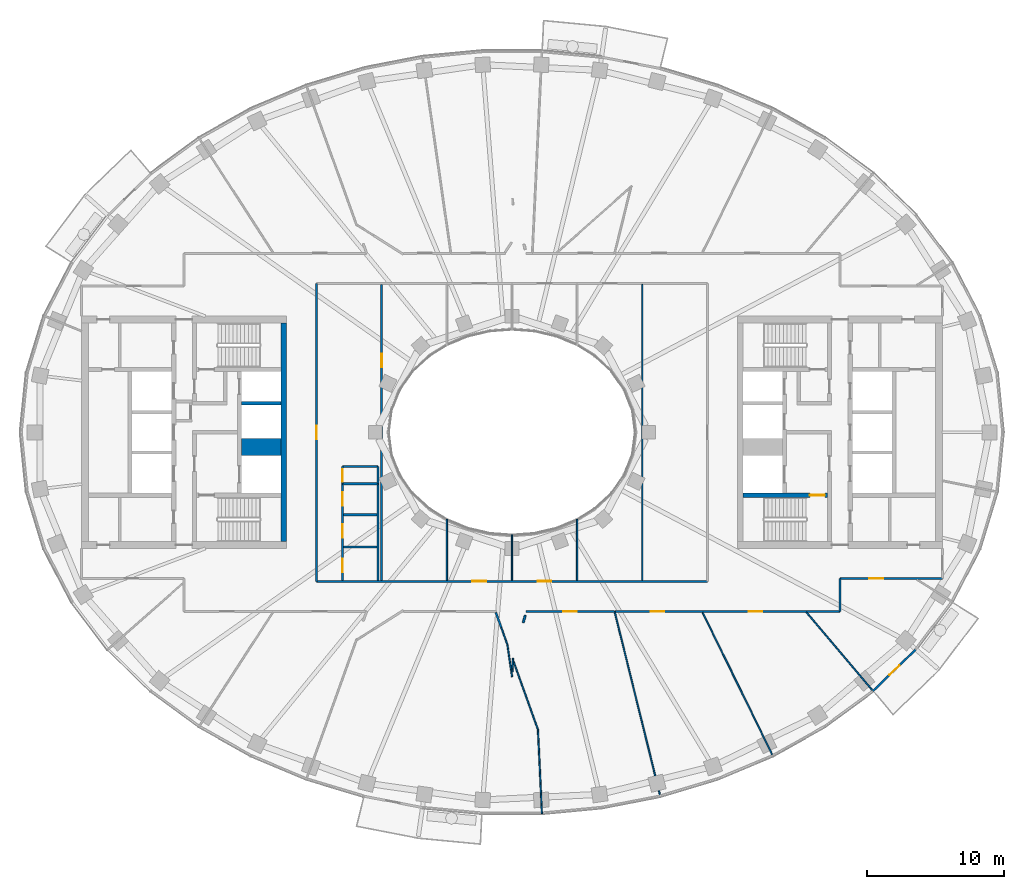
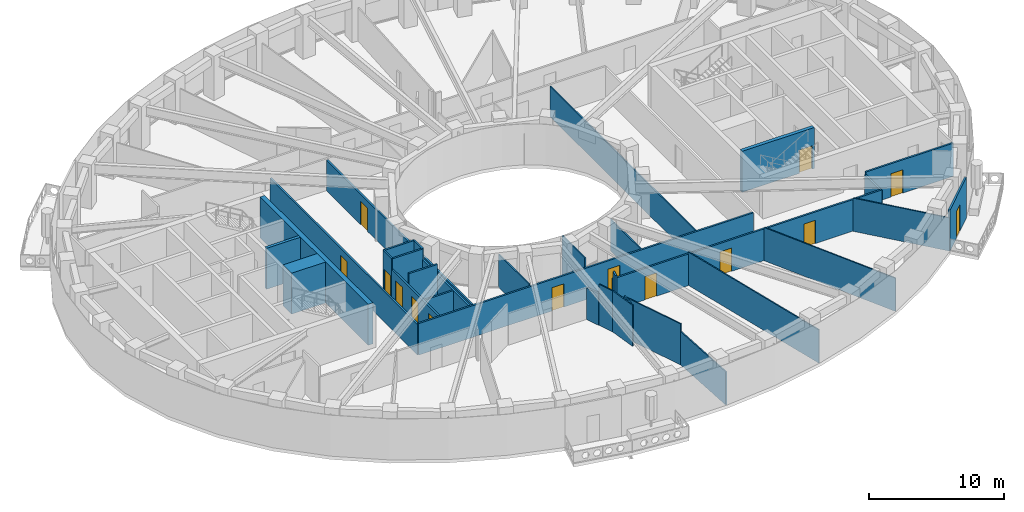
# One storey, part 4 of 16: 34 walls, 14 doors, 14 openings.
"""IFC4 building model written with IfcOpenShell, lengths in metres."""

from ifc_helpers import new_model, si_unit, direction, frame, frame_2d, origin, place, context, subcontext, project, spatial, rectangle, extrude, material, layer, layer_set, type_object, element, fill, save


model = new_model("IFC4")

# Units and contexts
model_context = context("Model", 3, precision=1e-05, world=origin(), true_north=direction((0.0, 1.0)))
body_context = subcontext(model_context, "Body", "Model", "MODEL_VIEW")
ifc_project = project(units=[si_unit("LENGTHUNIT", "METRE"), si_unit("AREAUNIT", "SQUARE_METRE"), si_unit("VOLUMEUNIT", "CUBIC_METRE"), si_unit("PLANEANGLEUNIT", "RADIAN"), si_unit("MASSUNIT", "GRAM", prefix="KILO")], contexts=[model_context])

# Site, building, storey
site_placement = place(None, origin())
site = spatial("IfcSite", under=ifc_project, at=site_placement, CompositionType="ELEMENT")
building_placement = place(site_placement, origin())
building = spatial("IfcBuilding", under=site, at=building_placement, Name="Noorbagh Ring Tower", CompositionType="ELEMENT")
storey_placement = place(building_placement, frame((0.0, 0.0, 237.5)))
storey = spatial("IfcBuildingStorey", under=building, at=storey_placement, Name="L49", CompositionType="ELEMENT", Elevation=237.5)

# Wall, opening, door
ifc_material_1 = material(Name="Gypsum board on steel studs", Category="steel")
ifc_layer_1 = layer(ifc_material_1, 0.14990234375)
ifc_layer_set_1 = layer_set([ifc_layer_1], Name="Gypsum board on steel studs")
wall_type_1 = type_object("IfcWallType", Name="COMPARTMENT PARTITION 150 EI 60", PredefinedType="PARTITIONING", material=ifc_layer_set_1)
wall_1_placement = place(storey_placement, frame((-12.39990234375, -3.760009765625, 0.0), z_axis=(0.0, 0.0, 1.0), x_axis=(0.0, 1.0, 0.0)))
wall_1 = element("IfcWall", 1, at=wall_1_placement, inside=storey, type_object=wall_type_1, Name="L49/wall/P21", PredefinedType="PARTITIONING", context=body_context, shape_type="SweptSolid", body=[
    extrude(rectangle(XDim=1.260009765625, YDim=0.14990234375, at=frame_2d((0.6298828125, 0.0))), origin(), (0.0, 0.0, 1.0), 3.699951171875),
])
opening_1_placement = place(wall_1_placement, frame((0.14990234375, 0.0, 0.0)))
opening_1 = element("IfcOpeningElement", 2, at=opening_1_placement, cuts=wall_1, Name="Opening D4", PredefinedType="OPENING", context=body_context, shape_type="SweptSolid", body=[
    extrude(rectangle(XDim=0.89990234375, YDim=2.10009765625, at=frame_2d((0.449951171875, 1.050048828125))), frame((0.0, 0.0849609375, 0.0), z_axis=(0.0, -1.0, 0.0), x_axis=(1.0, 0.0, 0.0)), (0.0, 0.0, 1.0), 0.169921875),
])
ifc_material_2 = material(Name="Timber, painted", Category="wood")
door_type_1 = type_object("IfcDoorType", Name="DOOR 900 X 2100 FD60", OperationType="SINGLE_SWING_LEFT", PredefinedType="DOOR", material=ifc_material_2)
door_1_placement = place(opening_1_placement, origin())
door_1 = element("IfcDoor", 3, at=door_1_placement, inside=storey, type_object=door_type_1, Name="L49-D05", OperationType="SINGLE_SWING_LEFT", OverallHeight=2.10009765625, OverallWidth=0.89990234375, PredefinedType="DOOR", context=body_context, shape_type="SweptSolid", body=[
    extrude(rectangle(XDim=0.89990234375, YDim=2.10009765625, at=frame_2d((0.449951171875, 1.050048828125))), frame((0.0, 0.02490234375, 0.0), z_axis=(0.0, -1.0, 0.0), x_axis=(1.0, 0.0, 0.0)), (0.0, 0.0, 1.0), 0.050048828125),
])
fill(opening_1, door_1)

# Walls
wall_2_placement = place(storey_placement, frame((-12.39990234375, -3.760009765625, 0.0), z_axis=(0.0, 0.0, 1.0), x_axis=(1.0, 0.0, 0.0)))
element("IfcWall", 4, at=wall_2_placement, inside=storey, type_object=wall_type_1, Name="L49/wall/P22", PredefinedType="PARTITIONING", context=body_context, shape_type="SweptSolid", body=[
    extrude(rectangle(XDim=2.599853515625, YDim=0.14990234375, at=frame_2d((1.2998046875, 0.0))), origin(), (0.0, 0.0, 1.0), 3.699951171875),
])
wall_3_placement = place(storey_placement, frame((-12.39990234375, -2.5, 0.0), z_axis=(0.0, 0.0, 1.0), x_axis=(1.0, 0.0, 0.0)))
element("IfcWall", 5, at=wall_3_placement, inside=storey, type_object=wall_type_1, Name="L49/wall/P23", PredefinedType="PARTITIONING", context=body_context, shape_type="SweptSolid", body=[
    extrude(rectangle(XDim=2.595947265625, YDim=0.14990234375, at=frame_2d((1.2978515625, 0.0))), origin(), (0.0, 0.0, 1.0), 3.699951171875),
])
wall_4_placement = place(storey_placement, frame((-9.800048828125, -3.760009765625, 0.0), z_axis=(0.0, 0.0, 1.0), x_axis=(0.0, 1.0, 0.0)))
element("IfcWall", 6, at=wall_4_placement, inside=storey, type_object=wall_type_1, Name="L49/wall/P31", PredefinedType="PARTITIONING", context=body_context, shape_type="SweptSolid", body=[
    extrude(rectangle(XDim=1.256103515625, YDim=0.14990234375, at=frame_2d((0.6279296875, 0.0))), origin(), (0.0, 0.0, 1.0), 3.699951171875),
])
ifc_material_3 = material(Name="Concrete C60/75", Category="concrete")
ifc_layer_2 = layer(ifc_material_3, 1.25)
ifc_layer_set_2 = layer_set([ifc_layer_2], Name="Concrete C60/75")
wall_type_2 = type_object("IfcWallType", Name="CORE-WALL-1250-C60-75-EI120", PredefinedType="SHEAR", material=ifc_layer_set_2)
wall_5_placement = place(storey_placement, frame((-16.89990234375, -1.074951171875, 0.0), z_axis=(0.0, 0.0, 1.0), x_axis=(-1.0, 0.0, 0.0)))
element("IfcWall", 7, at=wall_5_placement, inside=storey, type_object=wall_type_2, Name="Core wall W", PredefinedType="SHEAR", context=body_context, shape_type="SweptSolid", body=[
    extrude(rectangle(XDim=2.900146484375, YDim=1.25, at=frame_2d((1.4501953125, 0.0))), origin(), (0.0, 0.0, 1.0), 3.699951171875),
])
ifc_material_4 = material(Name="Concrete C60/75", Category="concrete")
ifc_layer_3 = layer(ifc_material_4, 0.25)
ifc_layer_set_3 = layer_set([ifc_layer_3], Name="Concrete C60/75")
wall_type_3 = type_object("IfcWallType", Name="CORE-WALL-250-C60-75-EI120", PredefinedType="SHEAR", material=ifc_layer_set_3)
wall_6_placement = place(storey_placement, frame((-16.89990234375, 2.125, 0.0), z_axis=(0.0, 0.0, 1.0), x_axis=(-1.0, 0.0, 0.0)))
element("IfcWall", 8, at=wall_6_placement, inside=storey, type_object=wall_type_3, Name="Core wall W", PredefinedType="SHEAR", context=body_context, shape_type="SweptSolid", body=[
    extrude(rectangle(XDim=2.900146484375, YDim=0.25, at=frame_2d((1.4501953125, 0.0))), origin(), (0.0, 0.0, 1.0), 3.699951171875),
])

# Wall, opening, door
ifc_material_5 = material(Name="Concrete C60/75", Category="concrete")
ifc_layer_4 = layer(ifc_material_5, 0.300048828125)
ifc_layer_set_4 = layer_set([ifc_layer_4], Name="Concrete C60/75")
wall_type_4 = type_object("IfcWallType", Name="CORE-WALL-300-C60-75-EI240", PredefinedType="SHEAR", material=ifc_layer_set_4)
wall_7_placement = place(storey_placement, frame((16.89990234375, -4.60009765625, 0.0), z_axis=(0.0, 0.0, 1.0), x_axis=(1.0, 0.0, 0.0)))
wall_7 = element("IfcWall", 9, at=wall_7_placement, inside=storey, type_object=wall_type_4, Name="Core wall E", PredefinedType="SHEAR", context=body_context, shape_type="SweptSolid", body=[
    extrude(rectangle(XDim=6.18017578125, YDim=0.300048828125, at=frame_2d((3.090087890625, 0.0))), origin(), (0.0, 0.0, 1.0), 3.699951171875),
])
opening_2_placement = place(wall_7_placement, frame((4.89990234375, 0.0, 0.0)))
opening_2 = element("IfcOpeningElement", 10, at=opening_2_placement, cuts=wall_7, Name="Opening L49-CE08", PredefinedType="OPENING", context=body_context, shape_type="SweptSolid", body=[
    extrude(rectangle(XDim=1.10009765625, YDim=2.10009765625, at=frame_2d((0.550048828125, 1.050048828125))), frame((0.0, 0.16015625, 0.0), z_axis=(0.0, -1.0, 0.0), x_axis=(1.0, 0.0, 0.0)), (0.0, 0.0, 1.0), 0.320068359375),
])
ifc_material_6 = material(Name="Steel door leaf", Category="steel")
door_type_2 = type_object("IfcDoorType", Name="CORE-DOOR-DSTAIR", OperationType="SINGLE_SWING_LEFT", PredefinedType="DOOR", material=ifc_material_6)
door_2_placement = place(opening_2_placement, origin())
door_2 = element("IfcDoor", 11, at=door_2_placement, inside=storey, type_object=door_type_2, Name="Stair door ST4 L49-CE08", OperationType="SINGLE_SWING_RIGHT", OverallHeight=2.10009765625, OverallWidth=1.10009765625, PredefinedType="DOOR", context=body_context, shape_type="SweptSolid", body=[
    extrude(rectangle(XDim=1.10009765625, YDim=2.10009765625, at=frame_2d((0.550048828125, 1.050048828125))), frame((0.0, 0.02490234375, 0.0), z_axis=(0.0, -1.0, 0.0), x_axis=(1.0, 0.0, 0.0)), (0.0, 0.0, 1.0), 0.050048828125),
])
fill(opening_2, door_2)

# Wall
ifc_material_7 = material(Name="Concrete C60/75", Category="concrete")
ifc_layer_5 = layer(ifc_material_7, 0.39990234375)
ifc_layer_set_5 = layer_set([ifc_layer_5], Name="Concrete C60/75")
wall_type_5 = type_object("IfcWallType", Name="CORE-WALL-400-C60-75-EI240", PredefinedType="SHEAR", material=ifc_layer_set_5)
wall_8_placement = place(storey_placement, frame((-16.699951171875, -8.0, 0.0), z_axis=(0.0, 0.0, 1.0), x_axis=(0.0, 1.0, 0.0)))
element("IfcWall", 12, at=wall_8_placement, inside=storey, type_object=wall_type_5, Name="Core wall W", PredefinedType="SHEAR", context=body_context, shape_type="SweptSolid", body=[
    extrude(rectangle(XDim=16.0, YDim=0.39990234375, at=frame_2d((8.0, 0.0))), origin(), (0.0, 0.0, 1.0), 3.699951171875),
])

# Wall, opening, door
ifc_material_8 = material(Name="Gypsum board on steel studs", Category="steel")
ifc_layer_6 = layer(ifc_material_8, 0.14990234375)
ifc_layer_set_6 = layer_set([ifc_layer_6], Name="Gypsum board on steel studs")
wall_type_6 = type_object("IfcWallType", Name="CORRIDOR PARTITION 150 EI 30", PredefinedType="PARTITIONING", material=ifc_layer_set_6)
wall_9_placement = place(storey_placement, frame((-14.300048828125, -10.89990234375, 0.0), z_axis=(0.0, 0.0, 1.0), x_axis=(0.0, 1.0, 0.0)))
wall_9 = element("IfcWall", 13, at=wall_9_placement, inside=storey, type_object=wall_type_6, Name="L49/wall/P15", PredefinedType="PARTITIONING", context=body_context, shape_type="SweptSolid", body=[
    extrude(rectangle(XDim=21.7998046875, YDim=0.14990234375, at=frame_2d((10.89990234375, 0.0))), origin(), (0.0, 0.0, 1.0), 2.75),
])
opening_3_placement = place(wall_9_placement, frame((10.39990234375, 0.0, 0.0)))
opening_3 = element("IfcOpeningElement", 14, at=opening_3_placement, cuts=wall_9, Name="Opening D1", PredefinedType="OPENING", context=body_context, shape_type="SweptSolid", body=[
    extrude(rectangle(XDim=1.0, YDim=2.10009765625, at=frame_2d((0.5, 1.050048828125))), frame((0.0, 0.0849609375, 0.0), z_axis=(0.0, -1.0, 0.0), x_axis=(1.0, 0.0, 0.0)), (0.0, 0.0, 1.0), 0.169921875),
])
ifc_material_9 = material(Name="Timber, painted", Category="wood")
door_type_3 = type_object("IfcDoorType", Name="DOOR 1000 X 2100 FD30", OperationType="SINGLE_SWING_LEFT", PredefinedType="DOOR", material=ifc_material_9)
door_3_placement = place(opening_3_placement, origin())
door_3 = element("IfcDoor", 15, at=door_3_placement, inside=storey, type_object=door_type_3, Name="L49-D01", OperationType="SINGLE_SWING_LEFT", OverallHeight=2.10009765625, OverallWidth=1.0, PredefinedType="DOOR", context=body_context, shape_type="SweptSolid", body=[
    extrude(rectangle(XDim=1.0, YDim=2.10009765625, at=frame_2d((0.5, 1.050048828125))), frame((0.0, 0.02490234375, 0.0), z_axis=(0.0, -1.0, 0.0), x_axis=(1.0, 0.0, 0.0)), (0.0, 0.0, 1.0), 0.050048828125),
])
fill(opening_3, door_3)

# Wall, openings, doors
wall_10_placement = place(storey_placement, frame((-14.300048828125, -10.89990234375, 0.0), z_axis=(0.0, 0.0, 1.0), x_axis=(1.0, 0.0, 0.0)))
wall_10 = element("IfcWall", 16, at=wall_10_placement, inside=storey, type_object=wall_type_6, Name="L49/wall/P16", PredefinedType="PARTITIONING", context=body_context, shape_type="SweptSolid", body=[
    extrude(rectangle(XDim=28.60009765625, YDim=0.14990234375, at=frame_2d((14.300048828125, 0.0))), origin(), (0.0, 0.0, 1.0), 2.85009765625),
])
opening_4_placement = place(wall_10_placement, frame((11.39990234375, 0.0, 0.0)))
opening_4 = element("IfcOpeningElement", 17, at=opening_4_placement, cuts=wall_10, Name="Opening D1", PredefinedType="OPENING", context=body_context, shape_type="SweptSolid", body=[
    extrude(rectangle(XDim=1.0, YDim=2.10009765625, at=frame_2d((0.5, 1.050048828125))), frame((0.0, 0.0849609375, 0.0), z_axis=(0.0, -1.0, 0.0), x_axis=(1.0, 0.0, 0.0)), (0.0, 0.0, 1.0), 0.169921875),
])
opening_5_placement = place(wall_10_placement, frame((16.1669921875, 0.0, 0.0)))
opening_5 = element("IfcOpeningElement", 18, at=opening_5_placement, cuts=wall_10, Name="Opening D1", PredefinedType="OPENING", context=body_context, shape_type="SweptSolid", body=[
    extrude(rectangle(XDim=1.0, YDim=2.10009765625, at=frame_2d((0.5, 1.050048828125))), frame((0.0, 0.0849609375, 0.0), z_axis=(0.0, -1.0, 0.0), x_axis=(1.0, 0.0, 0.0)), (0.0, 0.0, 1.0), 0.169921875),
])
door_4_placement = place(opening_4_placement, origin())
door_4 = element("IfcDoor", 19, at=door_4_placement, inside=storey, type_object=door_type_3, Name="L49-D25", OperationType="SINGLE_SWING_LEFT", OverallHeight=2.10009765625, OverallWidth=1.0, PredefinedType="DOOR", context=body_context, shape_type="SweptSolid", body=[
    extrude(rectangle(XDim=1.0, YDim=2.10009765625, at=frame_2d((0.5, 1.050048828125))), frame((0.0, 0.02490234375, 0.0), z_axis=(0.0, -1.0, 0.0), x_axis=(1.0, 0.0, 0.0)), (0.0, 0.0, 1.0), 0.050048828125),
])
fill(opening_4, door_4)
door_5_placement = place(opening_5_placement, origin())
door_5 = element("IfcDoor", 20, at=door_5_placement, inside=storey, type_object=door_type_3, Name="L49-D27", OperationType="SINGLE_SWING_LEFT", OverallHeight=2.10009765625, OverallWidth=1.0, PredefinedType="DOOR", context=body_context, shape_type="SweptSolid", body=[
    extrude(rectangle(XDim=1.0, YDim=2.10009765625, at=frame_2d((0.5, 1.050048828125))), frame((0.0, 0.02490234375, 0.0), z_axis=(0.0, -1.0, 0.0), x_axis=(1.0, 0.0, 0.0)), (0.0, 0.0, 1.0), 0.050048828125),
])
fill(opening_5, door_5)

wall_11_placement = place(storey_placement, frame((-12.39990234375, -10.824951171875, 0.0), z_axis=(0.0, 0.0, 1.0), x_axis=(0.0, 1.0, 0.0)))
wall_11 = element("IfcWall", 21, at=wall_11_placement, inside=storey, type_object=wall_type_6, Name="L49/wall/P18", PredefinedType="PARTITIONING", context=body_context, shape_type="SweptSolid", body=[
    extrude(rectangle(XDim=7.06494140625, YDim=0.14990234375, at=frame_2d((3.532470703125, 0.0))), origin(), (0.0, 0.0, 1.0), 2.75),
])
opening_6_placement = place(wall_11_placement, frame((0.574951171875, 0.0, 0.0)))
opening_6 = element("IfcOpeningElement", 22, at=opening_6_placement, cuts=wall_11, Name="Opening D3", PredefinedType="OPENING", context=body_context, shape_type="SweptSolid", body=[
    extrude(rectangle(XDim=1.0, YDim=2.10009765625, at=frame_2d((0.5, 1.050048828125))), frame((0.0, 0.0849609375, 0.0), z_axis=(0.0, -1.0, 0.0), x_axis=(1.0, 0.0, 0.0)), (0.0, 0.0, 1.0), 0.169921875),
])
opening_7_placement = place(wall_11_placement, frame((3.094970703125, 0.0, 0.0)))
opening_7 = element("IfcOpeningElement", 23, at=opening_7_placement, cuts=wall_11, Name="Opening D3", PredefinedType="OPENING", context=body_context, shape_type="SweptSolid", body=[
    extrude(rectangle(XDim=1.0, YDim=2.10009765625, at=frame_2d((0.5, 1.050048828125))), frame((0.0, 0.0849609375, 0.0), z_axis=(0.0, -1.0, 0.0), x_axis=(1.0, 0.0, 0.0)), (0.0, 0.0, 1.0), 0.169921875),
])
opening_8_placement = place(wall_11_placement, frame((5.447021484375, 0.0, 0.0)))
opening_8 = element("IfcOpeningElement", 24, at=opening_8_placement, cuts=wall_11, Name="Opening D3", PredefinedType="OPENING", context=body_context, shape_type="SweptSolid", body=[
    extrude(rectangle(XDim=1.0, YDim=2.10009765625, at=frame_2d((0.5, 1.050048828125))), frame((0.0, 0.0849609375, 0.0), z_axis=(0.0, -1.0, 0.0), x_axis=(1.0, 0.0, 0.0)), (0.0, 0.0, 1.0), 0.169921875),
])
ifc_material_10 = material(Name="Timber, painted", Category="wood")
door_type_4 = type_object("IfcDoorType", Name="DOOR 1000 X 2100 WC", OperationType="SINGLE_SWING_LEFT", PredefinedType="DOOR", material=ifc_material_10)
door_6_placement = place(opening_6_placement, origin())
door_6 = element("IfcDoor", 25, at=door_6_placement, inside=storey, type_object=door_type_4, Name="L49-D02", OperationType="SINGLE_SWING_RIGHT", OverallHeight=2.10009765625, OverallWidth=1.0, PredefinedType="DOOR", context=body_context, shape_type="SweptSolid", body=[
    extrude(rectangle(XDim=1.0, YDim=2.10009765625, at=frame_2d((0.5, 1.050048828125))), frame((0.0, 0.02490234375, 0.0), z_axis=(0.0, -1.0, 0.0), x_axis=(1.0, 0.0, 0.0)), (0.0, 0.0, 1.0), 0.050048828125),
])
fill(opening_6, door_6)
door_7_placement = place(opening_7_placement, origin())
door_7 = element("IfcDoor", 26, at=door_7_placement, inside=storey, type_object=door_type_4, Name="L49-D03", OperationType="SINGLE_SWING_LEFT", OverallHeight=2.10009765625, OverallWidth=1.0, PredefinedType="DOOR", context=body_context, shape_type="SweptSolid", body=[
    extrude(rectangle(XDim=1.0, YDim=2.10009765625, at=frame_2d((0.5, 1.050048828125))), frame((0.0, 0.02490234375, 0.0), z_axis=(0.0, -1.0, 0.0), x_axis=(1.0, 0.0, 0.0)), (0.0, 0.0, 1.0), 0.050048828125),
])
fill(opening_7, door_7)
door_8_placement = place(opening_8_placement, origin())
door_8 = element("IfcDoor", 27, at=door_8_placement, inside=storey, type_object=door_type_4, Name="L49-D04", OperationType="SINGLE_SWING_RIGHT", OverallHeight=2.10009765625, OverallWidth=1.0, PredefinedType="DOOR", context=body_context, shape_type="SweptSolid", body=[
    extrude(rectangle(XDim=1.0, YDim=2.10009765625, at=frame_2d((0.5, 1.050048828125))), frame((0.0, 0.02490234375, 0.0), z_axis=(0.0, -1.0, 0.0), x_axis=(1.0, 0.0, 0.0)), (0.0, 0.0, 1.0), 0.050048828125),
])
fill(opening_8, door_8)

# Walls
wall_12_placement = place(storey_placement, frame((-12.324951171875, -8.3798828125, 0.0), z_axis=(0.0, 0.0, 1.0), x_axis=(1.0, 0.0, 0.0)))
element("IfcWall", 28, at=wall_12_placement, inside=storey, type_object=wall_type_6, Name="L49/wall/P19", PredefinedType="PARTITIONING", context=body_context, shape_type="SweptSolid", body=[
    extrude(rectangle(XDim=2.449951171875, YDim=0.14990234375, at=frame_2d((1.22509765625, 0.0))), origin(), (0.0, 0.0, 1.0), 2.75),
])
wall_13_placement = place(storey_placement, frame((-12.324951171875, -6.028076171875, 0.0), z_axis=(0.0, 0.0, 1.0), x_axis=(1.0, 0.0, 0.0)))
element("IfcWall", 29, at=wall_13_placement, inside=storey, type_object=wall_type_6, Name="L49/wall/P20", PredefinedType="PARTITIONING", context=body_context, shape_type="SweptSolid", body=[
    extrude(rectangle(XDim=2.449951171875, YDim=0.14990234375, at=frame_2d((1.22509765625, 0.0))), origin(), (0.0, 0.0, 1.0), 3.699951171875),
])
wall_14_placement = place(storey_placement, frame((-9.800048828125, -10.824951171875, 0.0), z_axis=(0.0, 0.0, 1.0), x_axis=(0.0, 1.0, 0.0)))
element("IfcWall", 30, at=wall_14_placement, inside=storey, type_object=wall_type_6, Name="L49/wall/P30", PredefinedType="PARTITIONING", context=body_context, shape_type="SweptSolid", body=[
    extrude(rectangle(XDim=7.06494140625, YDim=0.14990234375, at=frame_2d((3.532470703125, 0.0))), origin(), (0.0, 0.0, 1.0), 2.75),
])

# Wall, opening, door
wall_15_placement = place(storey_placement, frame((-9.532958984375, -10.824951171875, 0.0), z_axis=(0.0, 0.0, 1.0), x_axis=(0.0, 1.0, 0.0)))
wall_15 = element("IfcWall", 31, at=wall_15_placement, inside=storey, type_object=wall_type_6, Name="L49/wall/P32", PredefinedType="PARTITIONING", context=body_context, shape_type="SweptSolid", body=[
    extrude(rectangle(XDim=21.64990234375, YDim=0.14990234375, at=frame_2d((10.824951171875, 0.0))), origin(), (0.0, 0.0, 1.0), 2.75),
])
opening_9_placement = place(wall_15_placement, frame((15.574951171875, 0.0, 0.0)))
opening_9 = element("IfcOpeningElement", 32, at=opening_9_placement, cuts=wall_15, Name="Opening D1", PredefinedType="OPENING", context=body_context, shape_type="SweptSolid", body=[
    extrude(rectangle(XDim=1.0, YDim=2.10009765625, at=frame_2d((0.5, 1.050048828125))), frame((0.0, 0.0849609375, 0.0), z_axis=(0.0, -1.0, 0.0), x_axis=(1.0, 0.0, 0.0)), (0.0, 0.0, 1.0), 0.169921875),
])
door_9_placement = place(opening_9_placement, origin())
door_9 = element("IfcDoor", 33, at=door_9_placement, inside=storey, type_object=door_type_3, Name="L49-D24", OperationType="SINGLE_SWING_RIGHT", OverallHeight=2.10009765625, OverallWidth=1.0, PredefinedType="DOOR", context=body_context, shape_type="SweptSolid", body=[
    extrude(rectangle(XDim=1.0, YDim=2.10009765625, at=frame_2d((0.5, 1.050048828125))), frame((0.0, 0.02490234375, 0.0), z_axis=(0.0, -1.0, 0.0), x_axis=(1.0, 0.0, 0.0)), (0.0, 0.0, 1.0), 0.050048828125),
])
fill(opening_9, door_9)

# Walls
wall_16_placement = place(storey_placement, frame((-1.180908203125, -13.178955078125, 0.0), z_axis=(0.0, 0.0, 1.0), x_axis=(0.337945854866, -0.941165553545, 0.0)))
element("IfcWall", 34, at=wall_16_placement, inside=storey, type_object=wall_type_6, Name="L49/wall/P39", PredefinedType="PARTITIONING", context=body_context, shape_type="SweptSolid", body=[
    extrude(rectangle(XDim=1.162353515625, YDim=0.14990234375, at=frame_2d((0.5810546875, 0.0))), origin(), (0.0, 0.0, 1.0), 2.85009765625),
])
wall_17_placement = place(storey_placement, frame((0.8310546875, -13.927001953125, 0.0), z_axis=(0.0, 0.0, 1.0), x_axis=(0.240473799965, 0.970655629732, 0.0)))
element("IfcWall", 35, at=wall_17_placement, inside=storey, type_object=wall_type_6, Name="L49/wall/P48", PredefinedType="PARTITIONING", context=body_context, shape_type="SweptSolid", body=[
    extrude(rectangle(XDim=0.557373046875, YDim=0.14990234375, at=frame_2d((0.27880859375, 0.0))), origin(), (0.0, 0.0, 1.0), 3.699951171875),
])

# Wall, opening, door
wall_18_placement = place(storey_placement, frame((1.035888671875, -13.10009765625, 0.0), z_axis=(0.0, 0.0, 1.0), x_axis=(1.0, 0.0, 0.0)))
wall_18 = element("IfcWall", 36, at=wall_18_placement, inside=storey, type_object=wall_type_6, Name="L49/wall/P50", PredefinedType="PARTITIONING", context=body_context, shape_type="SweptSolid", body=[
    extrude(rectangle(XDim=6.47119140625, YDim=0.14990234375, at=frame_2d((3.235595703125, 0.0))), origin(), (0.0, 0.0, 1.0), 2.85009765625),
])
opening_10_placement = place(wall_18_placement, frame((2.7060546875, 0.0, 0.0)))
opening_10 = element("IfcOpeningElement", 37, at=opening_10_placement, cuts=wall_18, Name="Opening D1", PredefinedType="OPENING", context=body_context, shape_type="SweptSolid", body=[
    extrude(rectangle(XDim=1.0, YDim=2.10009765625, at=frame_2d((0.5, 1.050048828125))), frame((0.0, 0.0849609375, 0.0), z_axis=(0.0, -1.0, 0.0), x_axis=(1.0, 0.0, 0.0)), (0.0, 0.0, 1.0), 0.169921875),
])
door_10_placement = place(opening_10_placement, origin())
door_10 = element("IfcDoor", 38, at=door_10_placement, inside=storey, type_object=door_type_3, Name="L49-D14", OperationType="SINGLE_SWING_RIGHT", OverallHeight=2.10009765625, OverallWidth=1.0, PredefinedType="DOOR", context=body_context, shape_type="SweptSolid", body=[
    extrude(rectangle(XDim=1.0, YDim=2.10009765625, at=frame_2d((0.5, 1.050048828125))), frame((0.0, 0.02490234375, 0.0), z_axis=(0.0, -1.0, 0.0), x_axis=(1.0, 0.0, 0.0)), (0.0, 0.0, 1.0), 0.050048828125),
])
fill(opening_10, door_10)

# Wall, openings, doors
wall_19_placement = place(storey_placement, frame((7.52392578125, -13.10009765625, 0.0), z_axis=(0.0, 0.0, 1.0), x_axis=(1.0, 0.0, 0.0)))
wall_19 = element("IfcWall", 39, at=wall_19_placement, inside=storey, type_object=wall_type_6, Name="L49/wall/P60", PredefinedType="PARTITIONING", context=body_context, shape_type="SweptSolid", body=[
    extrude(rectangle(XDim=16.47607421875, YDim=0.14990234375, at=frame_2d((8.238037109375, 0.0))), origin(), (0.0, 0.0, 1.0), 2.85009765625),
])
opening_11_placement = place(wall_19_placement, frame((2.633056640625, 0.0, 0.0)))
opening_11 = element("IfcOpeningElement", 40, at=opening_11_placement, cuts=wall_19, Name="Opening D1", PredefinedType="OPENING", context=body_context, shape_type="SweptSolid", body=[
    extrude(rectangle(XDim=1.0, YDim=2.10009765625, at=frame_2d((0.5, 1.050048828125))), frame((0.0, 0.0849609375, 0.0), z_axis=(0.0, -1.0, 0.0), x_axis=(1.0, 0.0, 0.0)), (0.0, 0.0, 1.0), 0.169921875),
])
opening_12_placement = place(wall_19_placement, frame((9.787109375, 0.0, 0.0)))
opening_12 = element("IfcOpeningElement", 41, at=opening_12_placement, cuts=wall_19, Name="Opening D1", PredefinedType="OPENING", context=body_context, shape_type="SweptSolid", body=[
    extrude(rectangle(XDim=1.0, YDim=2.10009765625, at=frame_2d((0.5, 1.050048828125))), frame((0.0, 0.0849609375, 0.0), z_axis=(0.0, -1.0, 0.0), x_axis=(1.0, 0.0, 0.0)), (0.0, 0.0, 1.0), 0.169921875),
])
door_11_placement = place(opening_11_placement, origin())
door_11 = element("IfcDoor", 42, at=door_11_placement, inside=storey, type_object=door_type_3, Name="L49-D16", OperationType="SINGLE_SWING_RIGHT", OverallHeight=2.10009765625, OverallWidth=1.0, PredefinedType="DOOR", context=body_context, shape_type="SweptSolid", body=[
    extrude(rectangle(XDim=1.0, YDim=2.10009765625, at=frame_2d((0.5, 1.050048828125))), frame((0.0, 0.02490234375, 0.0), z_axis=(0.0, -1.0, 0.0), x_axis=(1.0, 0.0, 0.0)), (0.0, 0.0, 1.0), 0.050048828125),
])
fill(opening_11, door_11)
door_12_placement = place(opening_12_placement, origin())
door_12 = element("IfcDoor", 43, at=door_12_placement, inside=storey, type_object=door_type_3, Name="L49-D18", OperationType="SINGLE_SWING_RIGHT", OverallHeight=2.10009765625, OverallWidth=1.0, PredefinedType="DOOR", context=body_context, shape_type="SweptSolid", body=[
    extrude(rectangle(XDim=1.0, YDim=2.10009765625, at=frame_2d((0.5, 1.050048828125))), frame((0.0, 0.02490234375, 0.0), z_axis=(0.0, -1.0, 0.0), x_axis=(1.0, 0.0, 0.0)), (0.0, 0.0, 1.0), 0.050048828125),
])
fill(opening_12, door_12)

# Wall
wall_20_placement = place(storey_placement, frame((24.0, -13.10009765625, 0.0), z_axis=(0.0, 0.0, 1.0), x_axis=(0.0, 1.0, 0.0)))
element("IfcWall", 44, at=wall_20_placement, inside=storey, type_object=wall_type_6, Name="L49/wall/P68", PredefinedType="PARTITIONING", context=body_context, shape_type="SweptSolid", body=[
    extrude(rectangle(XDim=2.400146484375, YDim=0.14990234375, at=frame_2d((1.2001953125, 0.0))), origin(), (0.0, 0.0, 1.0), 2.75),
])

# Wall, opening, door
wall_21_placement = place(storey_placement, frame((24.0, -10.699951171875, 0.0), z_axis=(0.0, 0.0, 1.0), x_axis=(1.0, 0.0, 0.0)))
wall_21 = element("IfcWall", 45, at=wall_21_placement, inside=storey, type_object=wall_type_6, Name="L49/wall/P69", PredefinedType="PARTITIONING", context=body_context, shape_type="SweptSolid", body=[
    extrude(rectangle(XDim=7.5, YDim=0.14990234375, at=frame_2d((3.75, 0.0))), origin(), (0.0, 0.0, 1.0), 3.0),
])
opening_13_placement = place(wall_21_placement, frame((2.14990234375, 0.0, 0.0)))
opening_13 = element("IfcOpeningElement", 46, at=opening_13_placement, cuts=wall_21, Name="Opening D1", PredefinedType="OPENING", context=body_context, shape_type="SweptSolid", body=[
    extrude(rectangle(XDim=1.0, YDim=2.10009765625, at=frame_2d((0.5, 1.050048828125))), frame((0.0, 0.0849609375, 0.0), z_axis=(0.0, -1.0, 0.0), x_axis=(1.0, 0.0, 0.0)), (0.0, 0.0, 1.0), 0.169921875),
])
door_13_placement = place(opening_13_placement, origin())
door_13 = element("IfcDoor", 47, at=door_13_placement, inside=storey, type_object=door_type_3, Name="L49-D20", OperationType="SINGLE_SWING_RIGHT", OverallHeight=2.10009765625, OverallWidth=1.0, PredefinedType="DOOR", context=body_context, shape_type="SweptSolid", body=[
    extrude(rectangle(XDim=1.0, YDim=2.10009765625, at=frame_2d((0.5, 1.050048828125))), frame((0.0, 0.02490234375, 0.0), z_axis=(0.0, -1.0, 0.0), x_axis=(1.0, 0.0, 0.0)), (0.0, 0.0, 1.0), 0.050048828125),
])
fill(opening_13, door_13)

ifc_material_11 = material(Name="Insulated aluminium clad panel", Category="aluminium")
ifc_layer_7 = layer(ifc_material_11, 0.14990234375)
ifc_layer_set_7 = layer_set([ifc_layer_7], Name="Insulated aluminium clad panel")
wall_type_7 = type_object("IfcWallType", Name="ENV-WALL-DOOR", PredefinedType="STANDARD", material=ifc_layer_set_7)
wall_22_placement = place(storey_placement, frame((26.396484375, -18.943359375, 0.0), z_axis=(0.0, 0.0, 1.0), x_axis=(0.717214761864, 0.696852197647, 0.0)))
wall_22 = element("IfcWall", 48, at=wall_22_placement, inside=storey, type_object=wall_type_7, Name="Balcony door wall chord 42", PredefinedType="STANDARD", context=body_context, shape_type="SweptSolid", body=[
    extrude(rectangle(XDim=4.424072265625, YDim=0.14990234375, at=frame_2d((2.2119140625, 0.0))), origin(), (0.0, 0.0, 1.0), 3.699951171875),
])
opening_14_placement = place(wall_22_placement, frame((1.712158203125, 0.0, 0.0)))
opening_14 = element("IfcOpeningElement", 49, at=opening_14_placement, cuts=wall_22, Name="Opening D-BL", PredefinedType="OPENING", context=body_context, shape_type="SweptSolid", body=[
    extrude(rectangle(XDim=1.0, YDim=2.39990234375, at=frame_2d((0.5, 1.199951171875))), frame((0.0, 0.0849609375, 0.0), z_axis=(0.0, -1.0, 0.0), x_axis=(1.0, 0.0, 0.0)), (0.0, 0.0, 1.0), 0.169921875),
])
ifc_material_12 = material(Name="Aluminium and glass", Category="aluminium")
door_type_5 = type_object("IfcDoorType", Name="ENV-DOOR-BALCONY", OperationType="SINGLE_SWING_LEFT", PredefinedType="DOOR", material=ifc_material_12)
door_14_placement = place(opening_14_placement, origin())
door_14 = element("IfcDoor", 50, at=door_14_placement, inside=storey, type_object=door_type_5, Name="Balcony door chord 42", OperationType="SINGLE_SWING_RIGHT", OverallHeight=2.39990234375, OverallWidth=1.0, PredefinedType="DOOR", context=body_context, shape_type="SweptSolid", body=[
    extrude(rectangle(XDim=1.0, YDim=2.39990234375, at=frame_2d((0.5, 1.199951171875))), frame((0.0, 0.02490234375, 0.0), z_axis=(0.0, -1.0, 0.0), x_axis=(1.0, 0.0, 0.0)), (0.0, 0.0, 1.0), 0.050048828125),
])
fill(opening_14, door_14)

# Walls
ifc_material_13 = material(Name="Gypsum board on steel studs", Category="steel")
ifc_layer_8 = layer(ifc_material_13, 0.10009765625)
ifc_layer_set_8 = layer_set([ifc_layer_8], Name="Gypsum board on steel studs")
wall_type_8 = type_object("IfcWallType", Name="PARTITION 100 GYPSUM", PredefinedType="PARTITIONING", material=ifc_layer_set_8)
wall_23_placement = place(storey_placement, frame((-4.76708984375, -10.824951171875, 0.0), z_axis=(0.0, 0.0, 1.0), x_axis=(0.0, 1.0, 0.0)))
element("IfcWall", 51, at=wall_23_placement, inside=storey, type_object=wall_type_8, Name="L49/wall/P36", PredefinedType="PARTITIONING", context=body_context, shape_type="SweptSolid", body=[
    extrude(rectangle(XDim=4.4619140625, YDim=0.10009765625, at=frame_2d((2.23095703125, 0.0))), origin(), (0.0, 0.0, 1.0), 3.0),
])
wall_24_placement = place(storey_placement, frame((-0.783935546875, -14.282958984375, 0.0), z_axis=(0.0, 0.0, 1.0), x_axis=(0.337476813817, -0.94133384096, 0.0)))
element("IfcWall", 52, at=wall_24_placement, inside=storey, type_object=wall_type_8, Name="L49/wall/P40", PredefinedType="PARTITIONING", context=body_context, shape_type="SweptSolid", body=[
    extrude(rectangle(XDim=1.315185546875, YDim=0.10009765625, at=frame_2d((0.65771484375, 0.0))), origin(), (0.0, 0.0, 1.0), 3.699951171875),
])
wall_25_placement = place(storey_placement, frame((-0.3330078125, -15.5390625, 0.0), z_axis=(0.0, 0.0, 1.0), x_axis=(0.143041001304, -0.989716763496, 0.0)))
element("IfcWall", 53, at=wall_25_placement, inside=storey, type_object=wall_type_8, Name="L49/wall/P42", PredefinedType="PARTITIONING", context=body_context, shape_type="SweptSolid", body=[
    extrude(rectangle(XDim=2.38427734375, YDim=0.10009765625, at=frame_2d((1.192138671875, 0.0))), origin(), (0.0, 0.0, 1.0), 3.699951171875),
])
wall_26_placement = place(storey_placement, frame((0.0, -10.824951171875, 0.0), z_axis=(0.0, 0.0, 1.0), x_axis=(0.0, 1.0, 0.0)))
element("IfcWall", 54, at=wall_26_placement, inside=storey, type_object=wall_type_8, Name="L49/wall/P43", PredefinedType="PARTITIONING", context=body_context, shape_type="SweptSolid", body=[
    extrude(rectangle(XDim=3.321044921875, YDim=0.10009765625, at=frame_2d((1.66064453125, 0.0))), origin(), (0.0, 0.0, 1.0), 3.699951171875),
])
wall_27_placement = place(storey_placement, frame((0.028076171875, -17.51904296875, 0.0), z_axis=(0.0, 0.0, 1.0), x_axis=(0.046221773591, 0.998931202659, 0.0)))
element("IfcWall", 55, at=wall_27_placement, inside=storey, type_object=wall_type_8, Name="L49/wall/P45", PredefinedType="PARTITIONING", context=body_context, shape_type="SweptSolid", body=[
    extrude(rectangle(XDim=0.992919921875, YDim=0.10009765625, at=frame_2d((0.49658203125, 0.0))), origin(), (0.0, 0.0, 1.0), 3.699951171875),
])
wall_28_placement = place(storey_placement, frame((0.113037109375, -16.781005859375, 0.0), z_axis=(0.0, 0.0, 1.0), x_axis=(0.338409154086, -0.940999067178, 0.0)))
element("IfcWall", 56, at=wall_28_placement, inside=storey, type_object=wall_type_8, Name="L49/wall/P47", PredefinedType="PARTITIONING", context=body_context, shape_type="SweptSolid", body=[
    extrude(rectangle(XDim=5.265869140625, YDim=0.10009765625, at=frame_2d((2.6328125, 0.0))), origin(), (0.0, 0.0, 1.0), 3.699951171875),
])
wall_29_placement = place(storey_placement, frame((1.89794921875, -21.75, 0.0), z_axis=(0.0, 0.0, 1.0), x_axis=(0.047440765919, -0.998874052986, 0.0)))
element("IfcWall", 57, at=wall_29_placement, inside=storey, type_object=wall_type_8, Name="L49/wall/P54", PredefinedType="PARTITIONING", context=body_context, shape_type="SweptSolid", body=[
    extrude(rectangle(XDim=6.15478515625, YDim=0.10009765625, at=frame_2d((3.077392578125, 0.0))), origin(), (0.0, 0.0, 1.0), 3.0),
])
wall_30_placement = place(storey_placement, frame((4.76708984375, -10.824951171875, 0.0), z_axis=(0.0, 0.0, 1.0), x_axis=(0.0, 1.0, 0.0)))
element("IfcWall", 58, at=wall_30_placement, inside=storey, type_object=wall_type_8, Name="L49/wall/P56", PredefinedType="PARTITIONING", context=body_context, shape_type="SweptSolid", body=[
    extrude(rectangle(XDim=4.4619140625, YDim=0.10009765625, at=frame_2d((2.23095703125, 0.0))), origin(), (0.0, 0.0, 1.0), 2.85009765625),
])
wall_31_placement = place(storey_placement, frame((7.507080078125, -13.10009765625, 0.0), z_axis=(0.0, 0.0, 1.0), x_axis=(0.239800961037, -0.970822073856, 0.0)))
element("IfcWall", 59, at=wall_31_placement, inside=storey, type_object=wall_type_8, Name="L49/wall/P58", PredefinedType="PARTITIONING", context=body_context, shape_type="SweptSolid", body=[
    extrude(rectangle(XDim=13.953125, YDim=0.10009765625, at=frame_2d((6.9765625, 0.0))), origin(), (0.0, 0.0, 1.0), 3.0),
])
wall_32_placement = place(storey_placement, frame((9.532958984375, -10.824951171875, 0.0), z_axis=(0.0, 0.0, 1.0), x_axis=(0.0, 1.0, 0.0)))
element("IfcWall", 60, at=wall_32_placement, inside=storey, type_object=wall_type_8, Name="L49/wall/P62", PredefinedType="PARTITIONING", context=body_context, shape_type="SweptSolid", body=[
    extrude(rectangle(XDim=21.64990234375, YDim=0.10009765625, at=frame_2d((10.824951171875, 0.0))), origin(), (0.0, 0.0, 1.0), 2.75),
])
wall_33_placement = place(storey_placement, frame((13.947998046875, -13.175048828125, 0.0), z_axis=(0.0, 0.0, 1.0), x_axis=(0.439190294188, -0.898394059136, 0.0)))
element("IfcWall", 61, at=wall_33_placement, inside=storey, type_object=wall_type_8, Name="L49/wall/P63", PredefinedType="PARTITIONING", context=body_context, shape_type="SweptSolid", body=[
    extrude(rectangle(XDim=11.69873046875, YDim=0.10009765625, at=frame_2d((5.849365234375, 0.0))), origin(), (0.0, 0.0, 1.0), 3.0),
])
wall_34_placement = place(storey_placement, frame((21.5419921875, -13.175048828125, 0.0), z_axis=(0.0, 0.0, 1.0), x_axis=(0.646374865928, -0.763020008058, 0.0)))
element("IfcWall", 62, at=wall_34_placement, inside=storey, type_object=wall_type_8, Name="L49/wall/P66", PredefinedType="PARTITIONING", context=body_context, shape_type="SweptSolid", body=[
    extrude(rectangle(XDim=7.56201171875, YDim=0.10009765625, at=frame_2d((3.781005859375, 0.0))), origin(), (0.0, 0.0, 1.0), 3.0),
])

save(model, "model.ifc")
